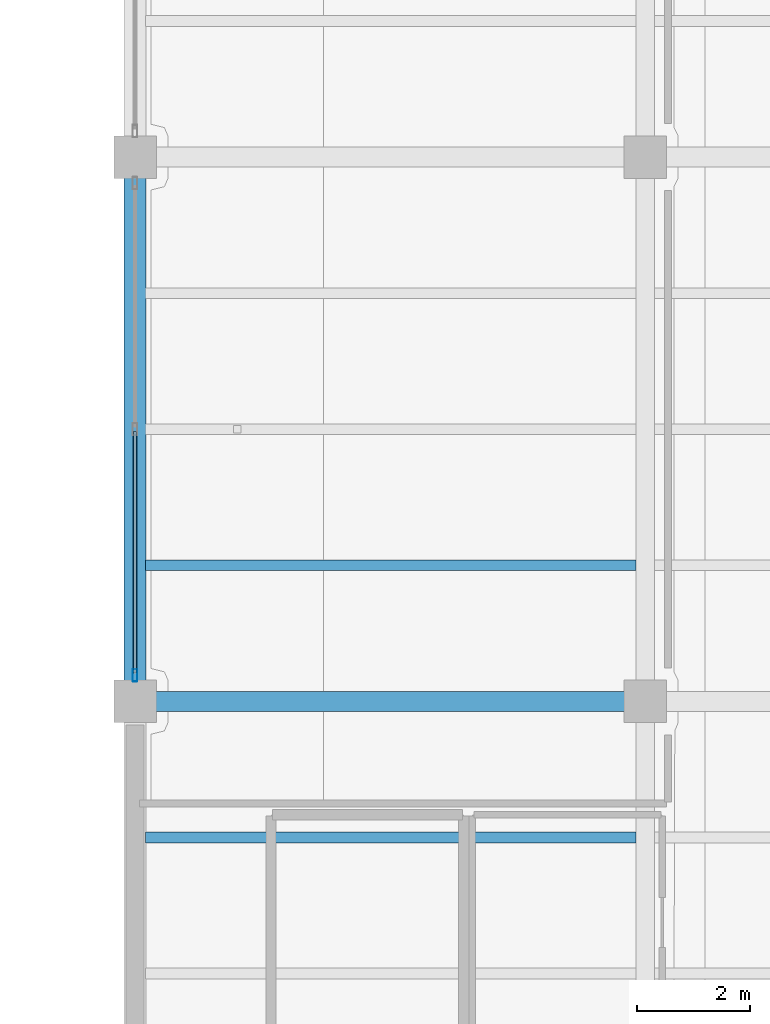
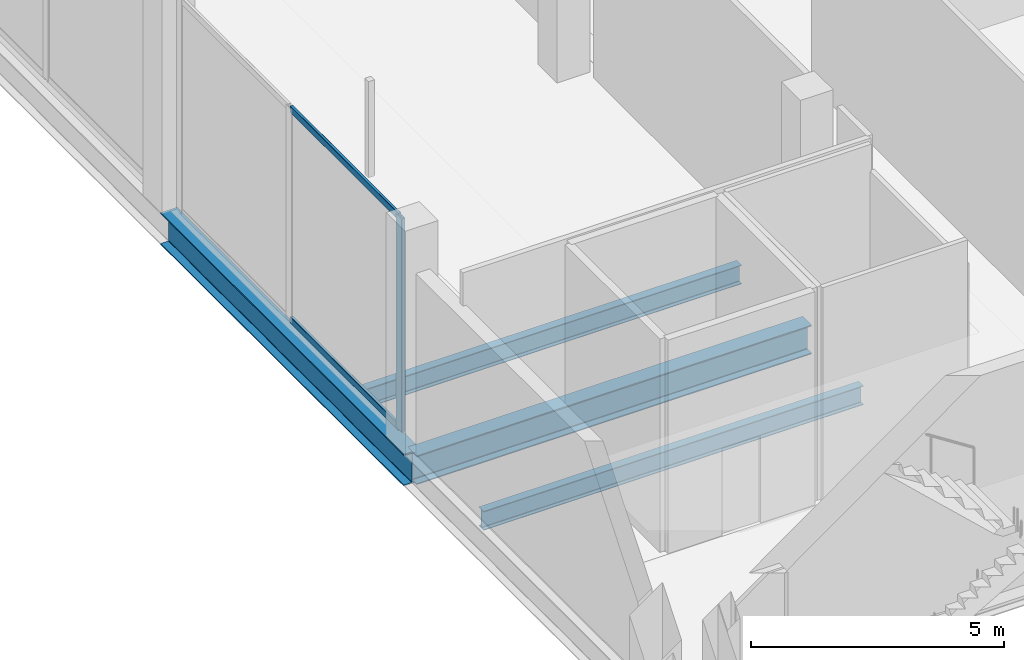
# One storey, part 3 of 47: 4 beams, 3 members, 1 element without a shape of its own.
"""IFC4 building model written with IfcOpenShell, lengths in metres."""

from ifc_helpers import new_model, si_unit, direction, frame, origin, origin_2d, place, context, subcontext, project, spatial, hollow_rectangle, i_section, extrude, material, layer, layer_set, material_profile, profile_set, type_object, element, aggregate, save


model = new_model("IFC4")

# Units and contexts
model_context = context("Model", 3, precision=1e-05, world=origin(), true_north=direction((0.0, 1.0)))
body_context = subcontext(model_context, "Body", "Model", "MODEL_VIEW")
ifc_project = project(units=[si_unit("LENGTHUNIT", "METRE"), si_unit("AREAUNIT", "SQUARE_METRE"), si_unit("VOLUMEUNIT", "CUBIC_METRE"), si_unit("PLANEANGLEUNIT", "RADIAN"), si_unit("MASSUNIT", "GRAM", prefix="KILO")], contexts=[model_context])

# Site, building, storey
site_placement = place(None, origin())
site = spatial("IfcSite", under=ifc_project, at=site_placement, CompositionType="ELEMENT")
building_placement = place(site_placement, origin())
building = spatial("IfcBuilding", under=site, at=building_placement, Name="Qorvath Tower", CompositionType="ELEMENT")
storey_placement = place(building_placement, frame((0.0, 0.0, 6.60009765625)))
storey = spatial("IfcBuildingStorey", under=building, at=storey_placement, Name="L01", CompositionType="ELEMENT", Elevation=6.60009765625)

# Beams
ifc_material_1 = material(Name="Steel ASTM A992 Grade 50", Category="steel")
ifc_material_profile_1 = material_profile(ifc_material_1, i_section(OverallWidth=0.381103515625, OverallDepth=0.77294921875, WebThickness=0.0166015625, FlangeThickness=0.027099609375, FilletRadius=0.01904296875, at=origin_2d()), Name="W30x173")
ifc_profile_set_1 = profile_set([ifc_material_profile_1], Name="Steel ASTM A992 Grade 50")
beam_type_1 = type_object("IfcBeamType", Name="BM-FG3", PredefinedType="BEAM", material=ifc_profile_set_1)
beam_1_placement = place(storey_placement, frame((32.39990234375, -19.199951171875, -0.646484375), z_axis=(0.0, 1.0, 0.0), x_axis=(-1.0, 0.0, 0.0)))
element("IfcBeam", 1, at=beam_1_placement, inside=storey, type_object=beam_type_1, Name="Library N-S Girder L01-1-3", PredefinedType="BEAM", context=body_context, shape_type="SweptSolid", body=[
    extrude(i_section(OverallWidth=0.381103515625, OverallDepth=0.77294921875, WebThickness=0.0166015625, FlangeThickness=0.027099609375, FilletRadius=0.01904296875, at=origin_2d()), origin(), (0.0, 0.0, 1.0), 9.599853515625),
])
ifc_material_2 = material(Name="Steel ASTM A992 Grade 50", Category="steel")
ifc_material_profile_2 = material_profile(ifc_material_2, i_section(OverallWidth=0.35595703125, OverallDepth=0.696044921875, WebThickness=0.015380859375, FlangeThickness=0.02490234375, FilletRadius=0.01806640625, at=origin_2d()), Name="W27x146")
ifc_profile_set_2 = profile_set([ifc_material_profile_2], Name="Steel ASTM A992 Grade 50")
beam_type_2 = type_object("IfcBeamType", Name="BM-FG4", PredefinedType="BEAM", material=ifc_profile_set_2)
beam_2_placement = place(storey_placement, frame((32.39990234375, -19.199951171875, -0.60791015625), z_axis=(1.0, 0.0, 0.0), x_axis=(0.0, 1.0, 0.0)))
element("IfcBeam", 2, at=beam_2_placement, inside=storey, type_object=beam_type_2, Name="Library E-W Girder L01-3-1", PredefinedType="BEAM", context=body_context, shape_type="SweptSolid", body=[
    extrude(i_section(OverallWidth=0.35595703125, OverallDepth=0.696044921875, WebThickness=0.015380859375, FlangeThickness=0.02490234375, FilletRadius=0.01806640625, at=origin_2d()), origin(), (0.0, 0.0, 1.0), 9.0),
])
ifc_material_3 = material(Name="Steel ASTM A992 Grade 50", Category="steel")
ifc_material_profile_3 = material_profile(ifc_material_3, i_section(OverallWidth=0.18994140625, OverallDepth=0.45703125, WebThickness=0.009033203125, FlangeThickness=0.014404296875, FilletRadius=0.011962890625, at=origin_2d()), Name="W18x50")
ifc_profile_set_3 = profile_set([ifc_material_profile_3], Name="Steel ASTM A992 Grade 50")
beam_type_3 = type_object("IfcBeamType", Name="BM-FJ2", PredefinedType="JOIST", material=ifc_profile_set_3)
for number, where, z_axis, x_axis, name in (
    (3, (32.58837890625, -21.60009765625, -0.488525390625), (1.0, 0.0, 0.0), (0.0, 1.0, 0.0), "Library Stack Joist L01-2.3-1"),
    (4, (32.58837890625, -16.800048828125, -0.488525390625), (1.0, 0.0, 0.0), (0.0, 1.0, 0.0), "Library Stack Joist L01-3.1-1"),
):
    element("IfcBeam", number, at=place(storey_placement, frame(where, z_axis=z_axis, x_axis=x_axis)), inside=storey, type_object=beam_type_3, Name=name, PredefinedType="JOIST", context=body_context, shape_type="SweptSolid", body=[
        extrude(i_section(OverallWidth=0.18994140625, OverallDepth=0.45703125, WebThickness=0.009033203125, FlangeThickness=0.014404296875, FilletRadius=0.011962890625, at=origin_2d()), origin(), (0.0, 0.0, 1.0), 8.651123046875),
    ])

# Curtain wall, members
ifc_material_4 = material(Name="Anodised aluminium and triple low-E glass", Category="aluminium")
ifc_layer = layer(ifc_material_4, 0.179931640625)
ifc_layer_set = layer_set([ifc_layer], Name="CW-SYS-6")
curtain_wall_type = type_object("IfcCurtainWallType", Name="CW-SYS-6", PredefinedType="NOTDEFINED", material=ifc_layer_set)
curtain_wall_placement = place(storey_placement, origin())
curtain_wall = element("IfcCurtainWall", 5, at=curtain_wall_placement, inside=storey, type_object=curtain_wall_type, Name="Curtain Wall CW-6 CW-LIB-W-L01-3", PredefinedType="NOTDEFINED")
ifc_material_5 = material(Name="Anodised aluminium 6063-T6", Category="aluminium")
ifc_material_profile_4 = material_profile(ifc_material_5, hollow_rectangle(XDim=0.080078125, YDim=0.219970703125, WallThickness=0.00439453125, InnerFilletRadius=0.00439453125, OuterFilletRadius=0.009033203125, at=origin_2d()), Name="CWM LIB 220x80")
ifc_profile_set_4 = profile_set([ifc_material_profile_4], Name="Anodised aluminium 6063-T6")
member_type_1 = type_object("IfcMemberType", Name="CWM-LIB", PredefinedType="MULLION", material=ifc_profile_set_4)
member_1_placement = place(storey_placement, frame((32.39990234375, -18.739990234375, 0.0), z_axis=(0.0, 0.0, 1.0), x_axis=(-1.0, 0.0, 0.0)))
member_1 = element("IfcMember", 6, at=member_1_placement, type_object=member_type_1, Name="CW-6 mullion 1", PredefinedType="MULLION", context=body_context, shape_type="SweptSolid", body=[
    extrude(hollow_rectangle(XDim=0.080078125, YDim=0.219970703125, WallThickness=0.00439453125, InnerFilletRadius=0.00439453125, OuterFilletRadius=0.009033203125, at=origin_2d()), origin(), (0.0, 0.0, 1.0), 5.139892578125),
])
ifc_material_6 = material(Name="Anodised aluminium 6063-T6", Category="aluminium")
ifc_material_profile_5 = material_profile(ifc_material_6, hollow_rectangle(XDim=0.06494140625, YDim=0.159912109375, WallThickness=0.00341796875, InnerFilletRadius=0.00341796875, OuterFilletRadius=0.007080078125, at=origin_2d()), Name="CWT 160x65")
ifc_profile_set_5 = profile_set([ifc_material_profile_5], Name="Anodised aluminium 6063-T6")
member_type_2 = type_object("IfcMemberType", Name="CWT-160", PredefinedType="USERDEFINED", material=ifc_profile_set_5)
member_2_placement = place(storey_placement, frame((32.39990234375, -18.699951171875, 0.032470703125), z_axis=(0.0, 1.0, 0.0), x_axis=(-1.0, 0.0, 0.0)))
member_2 = element("IfcMember", 7, at=member_2_placement, type_object=member_type_2, Name="CW-6 transom 1.1", ObjectType="TRANSOM", PredefinedType="USERDEFINED", context=body_context, shape_type="SweptSolid", body=[
    extrude(hollow_rectangle(XDim=0.06494140625, YDim=0.159912109375, WallThickness=0.00341796875, InnerFilletRadius=0.00341796875, OuterFilletRadius=0.007080078125, at=origin_2d()), origin(), (0.0, 0.0, 1.0), 4.260009765625),
])
member_3_placement = place(storey_placement, frame((32.39990234375, -18.699951171875, 5.107421875), z_axis=(0.0, 1.0, 0.0), x_axis=(-1.0, 0.0, 0.0)))
member_3 = element("IfcMember", 8, at=member_3_placement, type_object=member_type_2, Name="CW-6 transom 1.2", ObjectType="TRANSOM", PredefinedType="USERDEFINED", context=body_context, shape_type="SweptSolid", body=[
    extrude(hollow_rectangle(XDim=0.06494140625, YDim=0.159912109375, WallThickness=0.00341796875, InnerFilletRadius=0.00341796875, OuterFilletRadius=0.007080078125, at=origin_2d()), origin(), (0.0, 0.0, 1.0), 4.260009765625),
])
aggregate(curtain_wall, [member_1, member_2, member_3])

save(model, "model.ifc")
